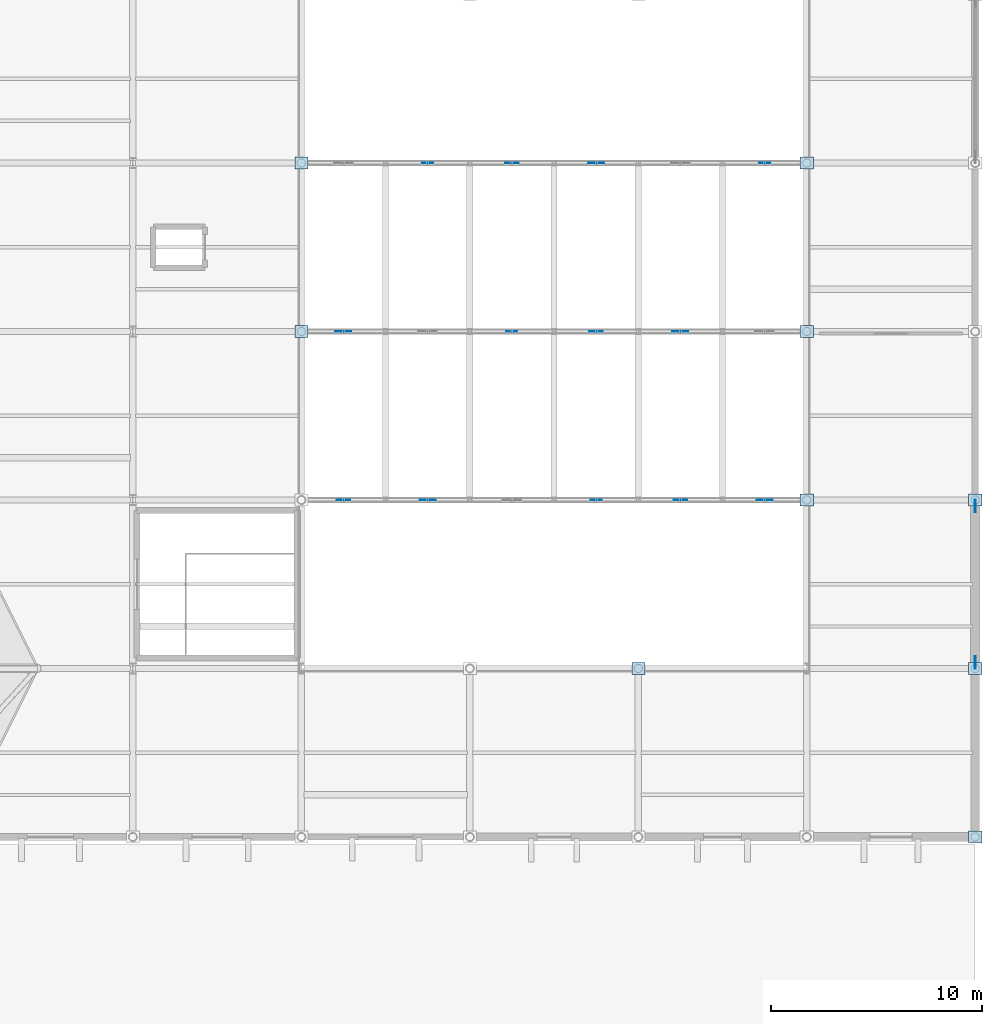
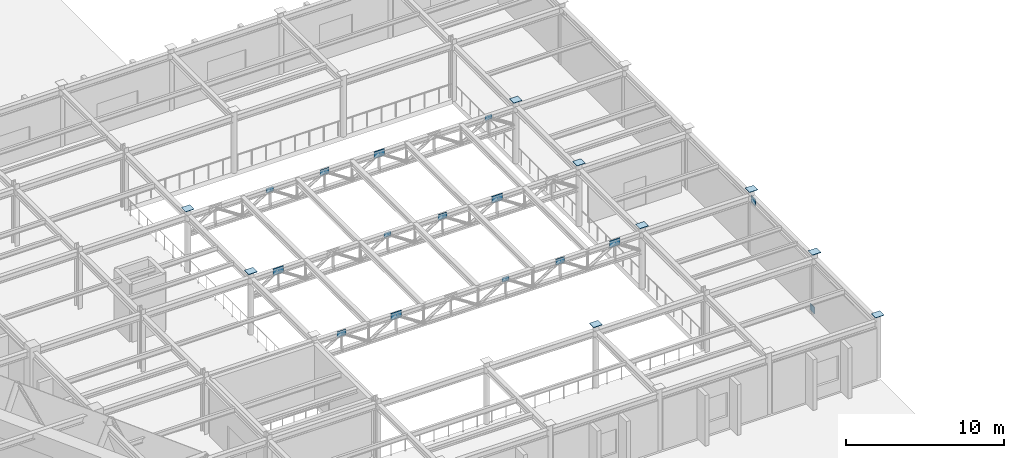
# One storey, part 28 of 46: 24 plates.
"""IFC4 building model written with IfcOpenShell, lengths in metres."""

from ifc_helpers import new_model, si_unit, direction, frame, origin, origin_2d, place, context, subcontext, project, spatial, rectangle, extrude, material, layer, layer_set, type_object, element, save


model = new_model("IFC4")

# Units and contexts
model_context = context("Model", 3, precision=1e-05, world=origin(), true_north=direction((0.0, 1.0)))
body_context = subcontext(model_context, "Body", "Model", "MODEL_VIEW")
ifc_project = project(units=[si_unit("LENGTHUNIT", "METRE"), si_unit("AREAUNIT", "SQUARE_METRE"), si_unit("VOLUMEUNIT", "CUBIC_METRE"), si_unit("PLANEANGLEUNIT", "RADIAN"), si_unit("MASSUNIT", "GRAM", prefix="KILO")], contexts=[model_context])

# Site, building, storey
site_placement = place(None, origin())
site = spatial("IfcSite", under=ifc_project, at=site_placement, CompositionType="ELEMENT")
building_placement = place(site_placement, origin())
building = spatial("IfcBuilding", under=site, at=building_placement, Name="Tazarka Park Arena", CompositionType="ELEMENT")
storey_placement = place(building_placement, frame((0.0, 0.0, 10.199951171875)))
storey = spatial("IfcBuildingStorey", under=building, at=storey_placement, Name="L02", CompositionType="ELEMENT", Elevation=10.199951171875)

# Plates
ifc_material_1 = material(Name="Steel S460", Category="steel")
ifc_layer_1 = layer(ifc_material_1, 0.030029296875, Name="Steel S460")
ifc_layer_set_1 = layer_set([ifc_layer_1], Name="Steel S460")
plate_type_1 = type_object("IfcPlateType", Name="PLT-PL-01", PredefinedType="SHEET", material=ifc_layer_set_1)
for number, where, z_axis, x_axis, name in (
    (1, (152.0, 80.0, 4.7998046875), (0.0, 0.0, 1.0), (1.0, 0.0, 0.0), "CPL-L02-19-10"),
    (2, (152.0, 88.0, 4.7998046875), (0.0, 0.0, 1.0), (1.0, 0.0, 0.0), "CPL-L02-19-11"),
    (3, (168.0, 64.0, 4.7998046875), (0.0, 0.0, 1.0), (1.0, 0.0, 0.0), "CPL-L02-21-08"),
    (4, (176.0, 72.0, 4.7998046875), (0.0, 0.0, 1.0), (1.0, 0.0, 0.0), "CPL-L02-22-09"),
    (5, (176.0, 80.0, 4.7998046875), (0.0, 0.0, 1.0), (1.0, 0.0, 0.0), "CPL-L02-22-10"),
    (6, (176.0, 88.0, 4.7998046875), (0.0, 0.0, 1.0), (1.0, 0.0, 0.0), "CPL-L02-22-11"),
    (7, (184.0, 56.0, 4.7998046875), (0.0, 0.0, 1.0), (1.0, 0.0, 0.0), "CPL-L02-23-07"),
    (8, (184.0, 64.0, 4.7998046875), (0.0, 0.0, 1.0), (1.0, 0.0, 0.0), "CPL-L02-23-08"),
    (9, (184.0, 72.0, 4.7998046875), (0.0, 0.0, 1.0), (1.0, 0.0, 0.0), "CPL-L02-23-09"),
):
    element("IfcPlate", number, at=place(storey_placement, frame(where, z_axis=z_axis, x_axis=x_axis)), inside=storey, type_object=plate_type_1, Name=name, PredefinedType="SHEET", context=body_context, shape_type="SweptSolid", body=[
        extrude(rectangle(XDim=0.6201171875, YDim=0.56005859375, at=origin_2d()), origin(), (0.0, 0.0, 1.0), 0.030029296875),
    ])
ifc_material_2 = material(Name="Steel S460", Category="steel")
ifc_layer_2 = layer(ifc_material_2, 0.02490234375, Name="Steel S460")
ifc_layer_set_2 = layer_set([ifc_layer_2], Name="Steel S460")
plate_type_2 = type_object("IfcPlateType", Name="PLT-PL-04", PredefinedType="USERDEFINED", material=ifc_layer_set_2)
for number, where, z_axis, x_axis, name in (
    (10, (166.0, 72.0, 3.97998046875), (0.0, 0.0, 1.0), (1.0, 0.0, 0.0), "WTG-1-3"),
    (11, (162.0, 80.0, 3.97998046875), (0.0, 0.0, 1.0), (1.0, 0.0, 0.0), "WTG-2-2"),
    (12, (158.0, 88.0, 3.97998046875), (0.0, 0.0, 1.0), (1.0, 0.0, 0.0), "WTG-3-1"),
    (13, (174.0, 88.0, 3.97998046875), (0.0, 0.0, 1.0), (1.0, 0.0, 0.0), "WTG-3-5"),
):
    element("IfcPlate", number, at=place(storey_placement, frame(where, z_axis=z_axis, x_axis=x_axis)), inside=storey, type_object=plate_type_2, Name=name, ObjectType="STIFFENER", PredefinedType="USERDEFINED", context=body_context, shape_type="SweptSolid", body=[
        extrude(rectangle(XDim=0.52001953125, YDim=0.02490234375, at=origin_2d()), origin(), (0.0, 0.0, 1.0), 0.360107421875),
    ])
ifc_material_3 = material(Name="Steel S460", Category="steel")
ifc_layer_3 = layer(ifc_material_3, 0.031982421875, Name="Steel S460")
ifc_layer_set_3 = layer_set([ifc_layer_3], Name="Steel S460")
plate_type_3 = type_object("IfcPlateType", Name="PLT-PL-05", PredefinedType="USERDEFINED", material=ifc_layer_set_3)
for number, where, z_axis, x_axis, name in (
    (14, (154.0, 72.0, 3.940185546875), (0.0, 0.0, 1.0), (1.0, 0.0, 0.0), "WTG-1-0"),
    (15, (170.0, 72.0, 3.940185546875), (0.0, 0.0, 1.0), (1.0, 0.0, 0.0), "WTG-1-4"),
    (16, (166.0, 80.0, 3.940185546875), (0.0, 0.0, 1.0), (1.0, 0.0, 0.0), "WTG-2-3"),
    (17, (162.0, 88.0, 3.940185546875), (0.0, 0.0, 1.0), (1.0, 0.0, 0.0), "WTG-3-2"),
):
    element("IfcPlate", number, at=place(storey_placement, frame(where, z_axis=z_axis, x_axis=x_axis)), inside=storey, type_object=plate_type_3, Name=name, ObjectType="STIFFENER", PredefinedType="USERDEFINED", context=body_context, shape_type="SweptSolid", body=[
        extrude(rectangle(XDim=0.639892578125, YDim=0.031982421875, at=origin_2d()), origin(), (0.0, 0.0, 1.0), 0.43994140625),
    ])
ifc_material_4 = material(Name="Steel S460", Category="steel")
ifc_layer_4 = layer(ifc_material_4, 0.0380859375, Name="Steel S460")
ifc_layer_set_4 = layer_set([ifc_layer_4], Name="Steel S460")
plate_type_4 = type_object("IfcPlateType", Name="PLT-PL-06", PredefinedType="USERDEFINED", material=ifc_layer_set_4)
for number, where, z_axis, x_axis, name in (
    (18, (158.0, 72.0, 3.900146484375), (0.0, 0.0, 1.0), (1.0, 0.0, 0.0), "WTG-1-1"),
    (19, (174.0, 72.0, 3.900146484375), (0.0, 0.0, 1.0), (1.0, 0.0, 0.0), "WTG-1-5"),
    (20, (154.0, 80.0, 3.900146484375), (0.0, 0.0, 1.0), (1.0, 0.0, 0.0), "WTG-2-0"),
    (21, (170.0, 80.0, 3.900146484375), (0.0, 0.0, 1.0), (1.0, 0.0, 0.0), "WTG-2-4"),
    (22, (166.0, 88.0, 3.900146484375), (0.0, 0.0, 1.0), (1.0, 0.0, 0.0), "WTG-3-3"),
):
    element("IfcPlate", number, at=place(storey_placement, frame(where, z_axis=z_axis, x_axis=x_axis)), inside=storey, type_object=plate_type_4, Name=name, ObjectType="STIFFENER", PredefinedType="USERDEFINED", context=body_context, shape_type="SweptSolid", body=[
        extrude(rectangle(XDim=0.760009765625, YDim=0.0380859375, at=origin_2d()), origin(), (0.0, 0.0, 1.0), 0.52001953125),
    ])
ifc_material_5 = material(Name="Steel S460", Category="steel")
ifc_layer_5 = layer(ifc_material_5, 0.035888671875, Name="Steel S460")
ifc_layer_set_5 = layer_set([ifc_layer_5], Name="Steel S460")
plate_type_5 = type_object("IfcPlateType", Name="PLT-PL-11", PredefinedType="USERDEFINED", material=ifc_layer_set_5)
for number, where, z_axis, x_axis, name in (
    (23, (184.0, 64.280029296875, -0.010009765625), (0.0, 0.0, 1.0), (1.0, 0.0, 0.0), "BRP-L02-02-1"),
    (24, (184.0, 71.719970703125, 3.81005859375), (0.0, 0.0, 1.0), (1.0, 0.0, 0.0), "BRP-L02-02-2"),
):
    element("IfcPlate", number, at=place(storey_placement, frame(where, z_axis=z_axis, x_axis=x_axis)), inside=storey, type_object=plate_type_5, Name=name, ObjectType="STIFFENER", PredefinedType="USERDEFINED", context=body_context, shape_type="SweptSolid", body=[
        extrude(rectangle(XDim=0.035888671875, YDim=0.580078125, at=origin_2d()), origin(), (0.0, 0.0, 1.0), 0.52001953125),
    ])

save(model, "model.ifc")
